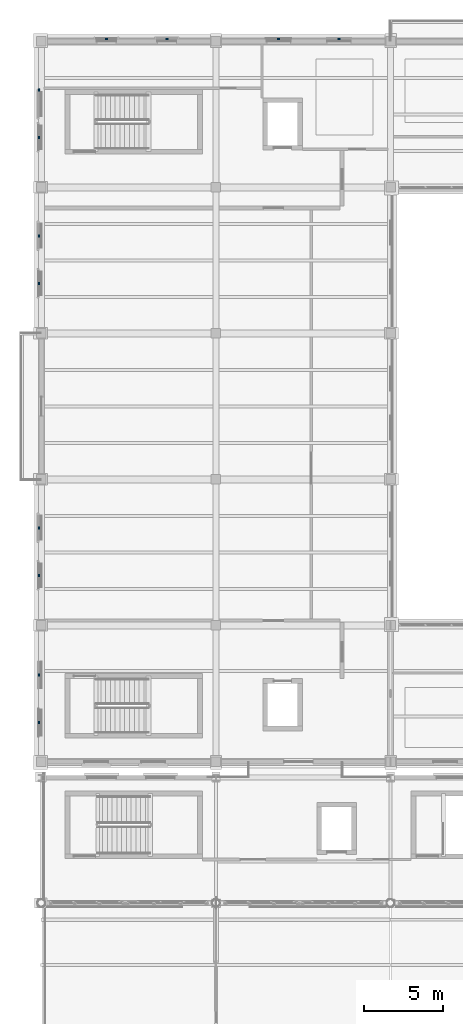
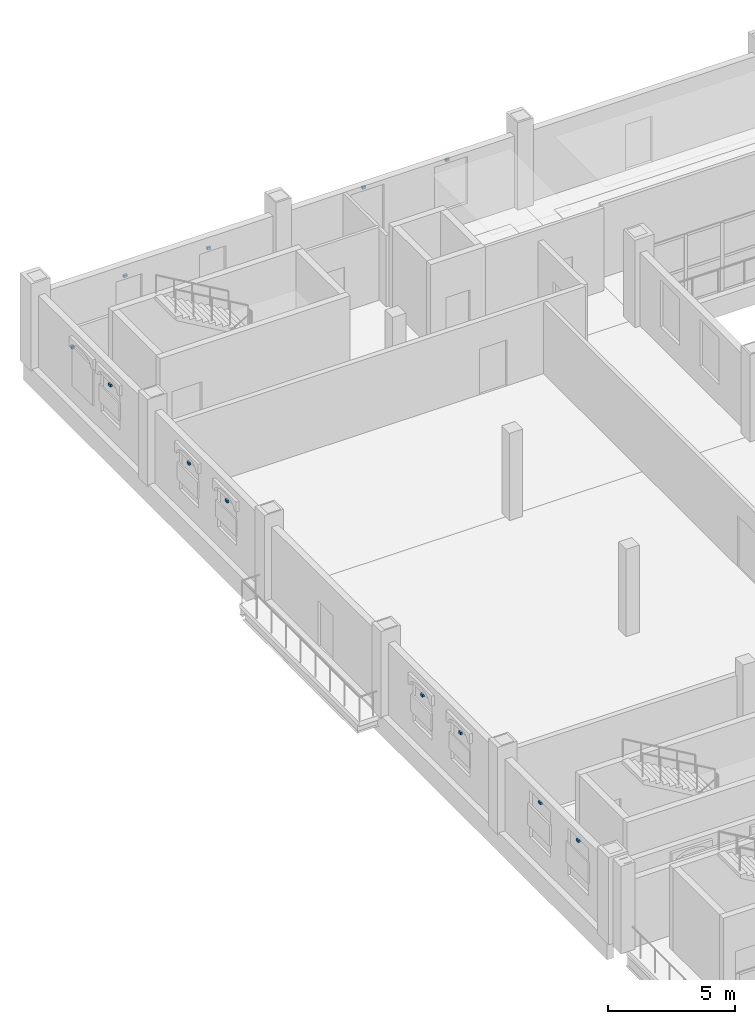
# One storey, part 102 of 120: 12 discrete accessories.
"""IFC4 building model written with IfcOpenShell, lengths in metres."""

from ifc_helpers import new_model, si_unit, direction, frame, origin, origin_2d, place, context, subcontext, project, spatial, rectangle, extrude, material, type_object, element, save


model = new_model("IFC4")

# Units and contexts
model_context = context("Model", 3, precision=1e-05, world=origin(), true_north=direction((0.0, 1.0)))
body_context = subcontext(model_context, "Body", "Model", "MODEL_VIEW")
ifc_project = project(units=[si_unit("LENGTHUNIT", "METRE"), si_unit("AREAUNIT", "SQUARE_METRE"), si_unit("VOLUMEUNIT", "CUBIC_METRE"), si_unit("PLANEANGLEUNIT", "RADIAN"), si_unit("MASSUNIT", "GRAM", prefix="KILO")], contexts=[model_context])

# Site, building, storey
site_placement = place(None, origin())
site = spatial("IfcSite", under=ifc_project, at=site_placement, CompositionType="ELEMENT")
building_placement = place(site_placement, origin())
building = spatial("IfcBuilding", under=site, at=building_placement, Name="Caurita Quay Ferry Terminal", CompositionType="ELEMENT")
storey_placement = place(building_placement, frame((0.0, 0.0, 9.89990234375)))
storey = spatial("IfcBuildingStorey", under=building, at=storey_placement, Name="L02", CompositionType="ELEMENT", Elevation=9.89990234375)

# Discrete accessories
ifc_material = material(Name="Structural plate steel ASTM A572 Gr. 50", Category="steel")
discrete_accessory_type = type_object("IfcDiscreteAccessoryType", Name="ACC-BRK-01", PredefinedType="BRACKET", material=ifc_material)
for number, where, z_axis, x_axis, name in (
    (1, (7.89990234375, 117.155029296875, 2.610107421875), (0.0, 0.0, 1.0), (-1.0, 0.0, 0.0), "L02 Sun-Breaker Bracket 013"),
    (2, (4.10009765625, 117.155029296875, 2.610107421875), (0.0, 0.0, 1.0), (-1.0, 0.0, 0.0), "L02 Sun-Breaker Bracket 014"),
    (3, (18.75, 117.155029296875, 3.06005859375), (0.0, 0.0, 1.0), (-1.0, 0.0, 0.0), "L02 Sun-Breaker Bracket 015"),
    (4, (14.949951171875, 117.155029296875, 3.06005859375), (0.0, 0.0, 1.0), (-1.0, 0.0, 0.0), "L02 Sun-Breaker Bracket 016"),
    (5, (-0.155029296875, 77.074951171875, 3.06005859375), (0.0, 0.0, 1.0), (0.0, -1.0, 0.0), "L02 Sun-Breaker Bracket 043"),
    (6, (-0.155029296875, 74.074951171875, 3.06005859375), (0.0, 0.0, 1.0), (0.0, -1.0, 0.0), "L02 Sun-Breaker Bracket 044"),
    (7, (-0.155029296875, 86.35009765625, 2.610107421875), (0.0, 0.0, 1.0), (0.0, -1.0, 0.0), "L02 Sun-Breaker Bracket 045"),
    (8, (-0.155029296875, 83.35009765625, 2.610107421875), (0.0, 0.0, 1.0), (0.0, -1.0, 0.0), "L02 Sun-Breaker Bracket 046"),
    (9, (-0.155029296875, 104.75, 2.610107421875), (0.0, 0.0, 1.0), (0.0, -1.0, 0.0), "L02 Sun-Breaker Bracket 047"),
    (10, (-0.155029296875, 101.75, 2.610107421875), (0.0, 0.0, 1.0), (0.0, -1.0, 0.0), "L02 Sun-Breaker Bracket 048"),
    (11, (-0.155029296875, 113.949951171875, 2.610107421875), (0.0, 0.0, 1.0), (0.0, -1.0, 0.0), "L02 Sun-Breaker Bracket 049"),
    (12, (-0.155029296875, 110.949951171875, 2.610107421875), (0.0, 0.0, 1.0), (0.0, -1.0, 0.0), "L02 Sun-Breaker Bracket 050"),
):
    element("IfcDiscreteAccessory", number, at=place(storey_placement, frame(where, z_axis=z_axis, x_axis=x_axis)), inside=storey, type_object=discrete_accessory_type, Name=name, PredefinedType="BRACKET", context=body_context, shape_type="SweptSolid", body=[
        extrude(rectangle(XDim=0.159912109375, YDim=0.10009765625, at=origin_2d()), origin(), (0.0, 0.0, 1.0), 0.1201171875),
    ])

save(model, "model.ifc")
